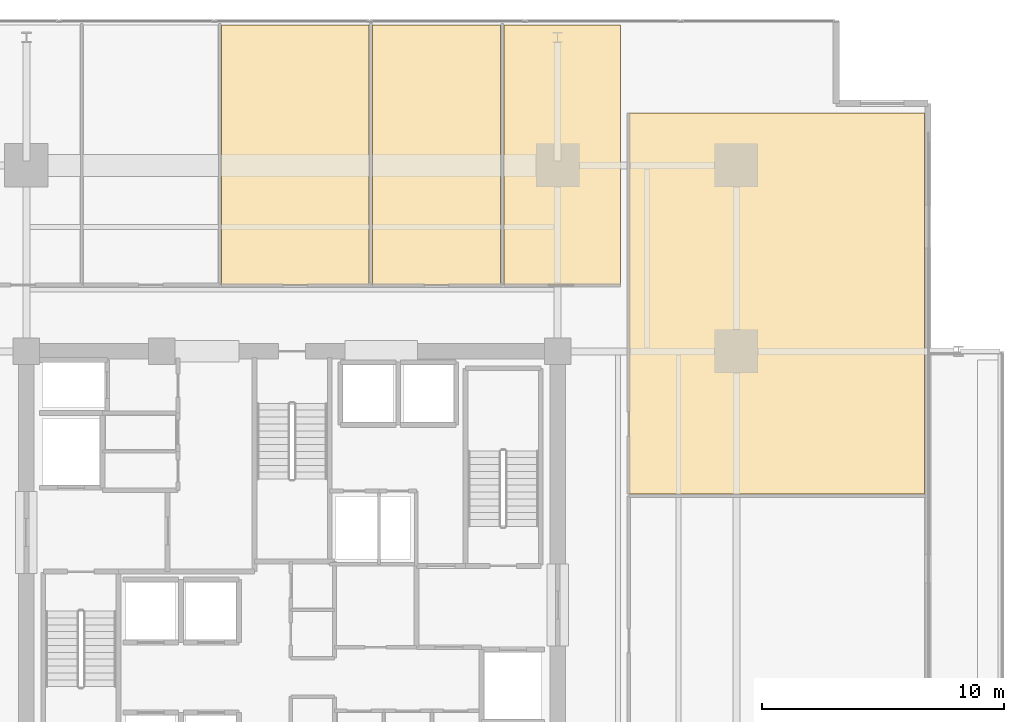
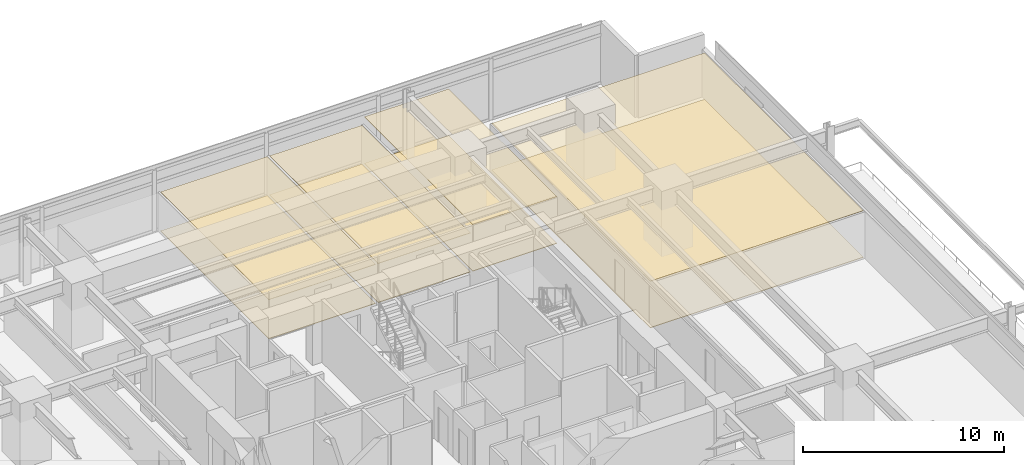
# One storey, part 21 of 21: 8 coverings.
"""IFC4 building model written with IfcOpenShell, lengths in metres."""

from ifc_helpers import new_model, si_unit, direction, frame, origin, place, context, subcontext, project, spatial, polyline, outline, extrude, material, layer, layer_set, type_object, element, save


model = new_model("IFC4")

# Units and contexts
model_context = context("Model", 3, precision=1e-05, world=origin(), true_north=direction((0.0, 1.0)))
body_context = subcontext(model_context, "Body", "Model", "MODEL_VIEW")
ifc_project = project(units=[si_unit("LENGTHUNIT", "METRE"), si_unit("AREAUNIT", "SQUARE_METRE"), si_unit("VOLUMEUNIT", "CUBIC_METRE"), si_unit("PLANEANGLEUNIT", "RADIAN"), si_unit("MASSUNIT", "GRAM", prefix="KILO")], contexts=[model_context])

# Site, building, storey
site_placement = place(None, origin())
site = spatial("IfcSite", under=ifc_project, at=site_placement, CompositionType="ELEMENT")
building_placement = place(site_placement, origin())
building = spatial("IfcBuilding", under=site, at=building_placement, Name="Kovane Verandah Tower", CompositionType="ELEMENT")
storey_placement = place(building_placement, frame((0.0, 0.0, 87.60009765625)))
storey = spatial("IfcBuildingStorey", under=building, at=storey_placement, Name="L20", CompositionType="ELEMENT", Elevation=87.60009765625)

# Coverings
ifc_material_1 = material(Name="Perforated Acoustic Mineral-Fibre Ceiling Tile", Category="gypsum")
ifc_layer_1 = layer(ifc_material_1, 0.02490234375)
ifc_layer_set_1 = layer_set([ifc_layer_1], Name="Perforated Acoustic Mineral-Fibre Ceiling Tile")
covering_type_1 = type_object("IfcCoveringType", Name="CV-CEIL-25", PredefinedType="CEILING", material=ifc_layer_set_1)
covering_1_placement = place(storey_placement, frame((0.0, 0.0, 2.364990234375)))
element("IfcCovering", 1, at=covering_1_placement, inside=storey, type_object=covering_type_1, Name="L20 Document and Print Room N3 Acoustic Ceiling", PredefinedType="CEILING", context=body_context, shape_type="SweptSolid", body=[
    extrude(outline(polyline([(37.077880859375, 39.25), (43.194091796875, 39.25), (43.194091796875, 50.02099609375), (37.077880859375, 50.02099609375), (37.077880859375, 39.25)])), origin(), (0.0, 0.0, 1.0), 0.02490234375),
])
covering_2_placement = place(storey_placement, frame((0.0, 0.0, 2.364990234375)))
element("IfcCovering", 2, at=covering_2_placement, inside=storey, type_object=covering_type_1, Name="L20 Open Plan Office N4 Acoustic Ceiling", PredefinedType="CEILING", context=body_context, shape_type="SweptSolid", body=[
    extrude(outline(polyline([(43.333984375, 39.25), (48.634033203125, 39.25), (48.634033203125, 50.02099609375), (43.333984375, 50.02099609375), (43.333984375, 39.25)])), origin(), (0.0, 0.0, 1.0), 0.02490234375),
])
covering_3_placement = place(storey_placement, frame((0.0, 0.0, 2.824951171875)))
element("IfcCovering", 3, at=covering_3_placement, inside=storey, type_object=covering_type_1, Name="L20 Executive Office N5 Acoustic Ceiling", PredefinedType="CEILING", context=body_context, shape_type="SweptSolid", body=[
    extrude(outline(polyline([(48.77392578125, 39.25), (53.60009765625, 39.25), (53.60009765625, 50.02099609375), (48.77392578125, 50.02099609375), (48.77392578125, 39.25)])), origin(), (0.0, 0.0, 1.0), 0.02490234375),
])
covering_4_placement = place(storey_placement, frame((0.0, 0.0, 2.824951171875)))
element("IfcCovering", 4, at=covering_4_placement, inside=storey, type_object=covering_type_1, Name="L20 Open Plan Office E2 Acoustic Ceiling", PredefinedType="CEILING", context=body_context, shape_type="SweptSolid", body=[
    extrude(outline(polyline([(53.949951171875, 30.58935546875), (66.179931640625, 30.58935546875), (66.179931640625, 46.370849609375), (53.949951171875, 46.370849609375), (53.949951171875, 30.58935546875)])), origin(), (0.0, 0.0, 1.0), 0.02490234375),
])
ifc_material_2 = material(Name="Polished Terrazzo and Raised-Access Carpet Tile Finish", Category="concrete")
ifc_layer_2 = layer(ifc_material_2, 0.030029296875)
ifc_layer_set_2 = layer_set([ifc_layer_2], Name="Polished Terrazzo and Raised-Access Carpet Tile Finish")
covering_type_2 = type_object("IfcCoveringType", Name="CV-FLOR-30", PredefinedType="FLOORING", material=ifc_layer_set_2)
covering_5_placement = place(storey_placement, origin())
element("IfcCovering", 5, at=covering_5_placement, inside=storey, type_object=covering_type_2, Name="L20 Document and Print Room N3 Floor Finish", PredefinedType="FLOORING", context=body_context, shape_type="SweptSolid", body=[
    extrude(outline(polyline([(37.077880859375, 39.25), (43.194091796875, 39.25), (43.194091796875, 50.02099609375), (37.077880859375, 50.02099609375), (37.077880859375, 39.25)])), origin(), (0.0, 0.0, 1.0), 0.02978515625),
])
covering_6_placement = place(storey_placement, origin())
element("IfcCovering", 6, at=covering_6_placement, inside=storey, type_object=covering_type_2, Name="L20 Open Plan Office N4 Floor Finish", PredefinedType="FLOORING", context=body_context, shape_type="SweptSolid", body=[
    extrude(outline(polyline([(43.333984375, 39.25), (48.634033203125, 39.25), (48.634033203125, 50.02099609375), (43.333984375, 50.02099609375), (43.333984375, 39.25)])), origin(), (0.0, 0.0, 1.0), 0.02978515625),
])
covering_7_placement = place(storey_placement, origin())
element("IfcCovering", 7, at=covering_7_placement, inside=storey, type_object=covering_type_2, Name="L20 Executive Office N5 Floor Finish", PredefinedType="FLOORING", context=body_context, shape_type="SweptSolid", body=[
    extrude(outline(polyline([(48.77392578125, 39.25), (53.60009765625, 39.25), (53.60009765625, 50.02099609375), (48.77392578125, 50.02099609375), (48.77392578125, 39.25)])), origin(), (0.0, 0.0, 1.0), 0.02978515625),
])
covering_8_placement = place(storey_placement, origin())
element("IfcCovering", 8, at=covering_8_placement, inside=storey, type_object=covering_type_2, Name="L20 Open Plan Office E2 Floor Finish", PredefinedType="FLOORING", context=body_context, shape_type="SweptSolid", body=[
    extrude(outline(polyline([(53.949951171875, 30.58935546875), (66.179931640625, 30.58935546875), (66.179931640625, 46.370849609375), (53.949951171875, 46.370849609375), (53.949951171875, 30.58935546875)])), origin(), (0.0, 0.0, 1.0), 0.02978515625),
])

save(model, "model.ifc")
